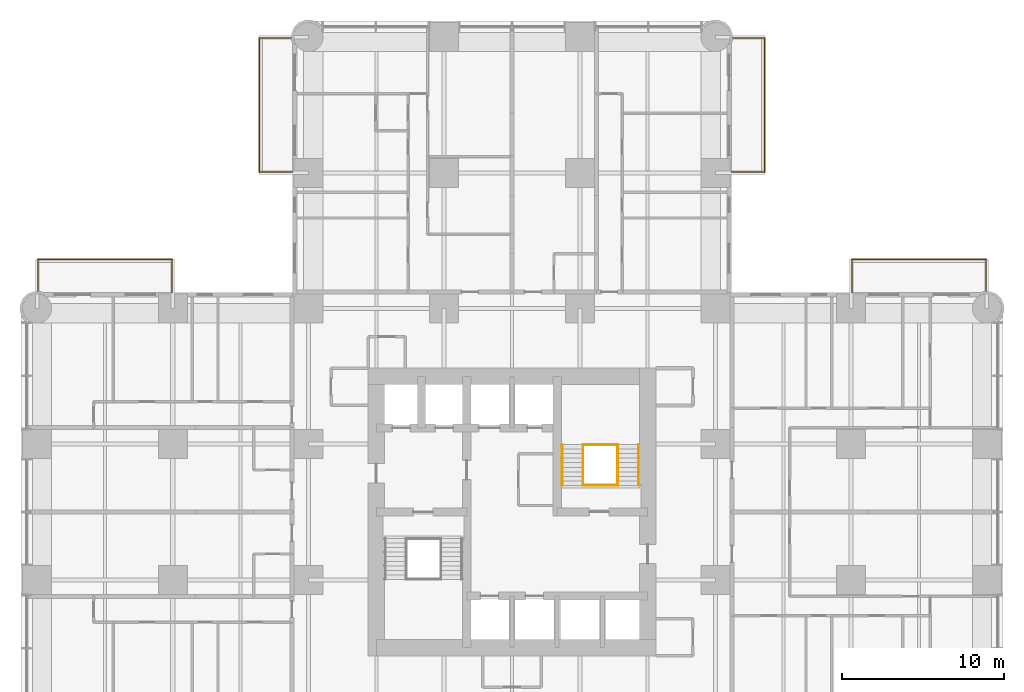
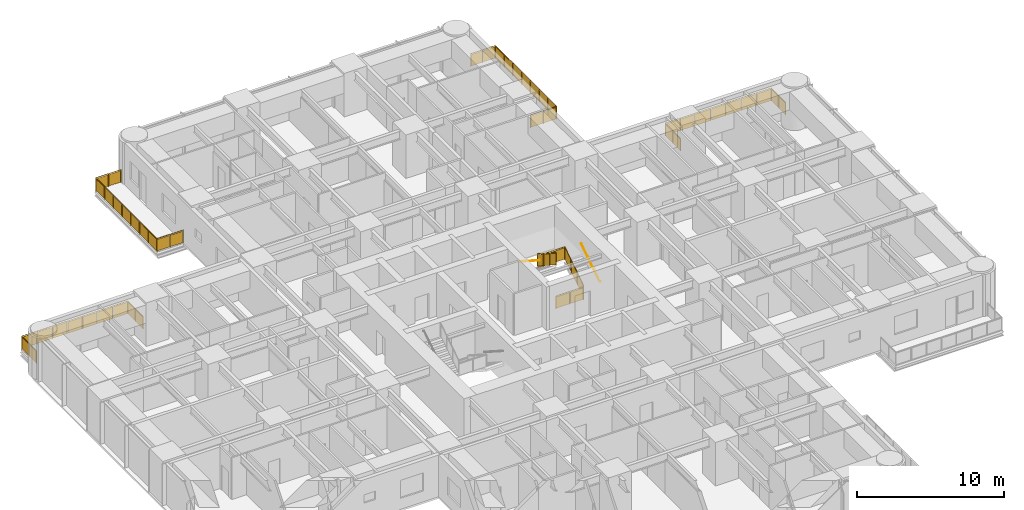
# One storey, part 17 of 17: 10 railings.
"""IFC4 building model written with IfcOpenShell, lengths in metres."""

from ifc_helpers import new_model, si_unit, direction, frame, origin, origin_2d, place, context, subcontext, project, spatial, polyline, circle, outline, extrude, material, constituent, constituent_set, type_object, element, save


model = new_model("IFC4")

# Units and contexts
model_context = context("Model", 3, precision=1e-05, world=origin(), true_north=direction((0.0, 1.0)))
body_context = subcontext(model_context, "Body", "Model", "MODEL_VIEW")
ifc_project = project(units=[si_unit("LENGTHUNIT", "METRE"), si_unit("AREAUNIT", "SQUARE_METRE"), si_unit("VOLUMEUNIT", "CUBIC_METRE"), si_unit("PLANEANGLEUNIT", "RADIAN"), si_unit("MASSUNIT", "GRAM", prefix="KILO")], contexts=[model_context])

# Site, building, storey
site_placement = place(None, origin())
site = spatial("IfcSite", under=ifc_project, at=site_placement, CompositionType="ELEMENT")
building_placement = place(site_placement, origin())
building = spatial("IfcBuilding", under=site, at=building_placement, Name="Torre Alcanfor", CompositionType="ELEMENT")
storey_placement = place(building_placement, frame((0.0, 0.0, 70.5)))
storey = spatial("IfcBuildingStorey", under=building, at=storey_placement, Name="L17", CompositionType="ELEMENT", Elevation=70.5)

# Railings
ifc_material_1 = material(Name="Laminated safety glass", Category="glass")
ifc_constituent_1 = constituent(ifc_material_1, Name="Infill")
ifc_material_2 = material(Name="Stainless steel ASTM A554 Grade MT 316L tube", Category="steel")
ifc_constituent_2 = constituent(ifc_material_2, Name="Posts and rail")
ifc_constituent_set = constituent_set(constituents=[ifc_constituent_1, ifc_constituent_2], Name="Balcony guard glass 1100")
railing_type_1 = type_object("IfcRailingType", Name="Balcony guard glass 1100", PredefinedType="BALUSTRADE", material=ifc_constituent_set)
railing_1_placement = place(storey_placement, frame((15.800048828125, 50.449951171875, 0.0)))
element("IfcRailing", 1, at=railing_1_placement, inside=storey, type_object=railing_type_1, Name="Balcony guard L17-N1", PredefinedType="BALUSTRADE", context=body_context, shape_type="SweptSolid", body=[
    extrude(circle(Radius=0.02392578125, at=origin_2d()), frame((0.0, 0.0, 1.076171875), z_axis=(-1.0, 0.0, 0.0), x_axis=(0.0, -1.0, 0.0)), (0.0, 0.0, 1.0), 2.050048828125),
    extrude(circle(Radius=0.02392578125, at=origin_2d()), frame((-2.050048828125, 0.0, 1.076171875), z_axis=(0.0, 1.0, 0.0), x_axis=(-1.0, 0.0, 0.0)), (0.0, 0.0, 1.0), 8.300048828125),
    extrude(circle(Radius=0.02392578125, at=origin_2d()), frame((-2.050048828125, 8.300048828125, 1.076171875), z_axis=(1.0, 0.0, 0.0), x_axis=(0.0, 1.0, 0.0)), (0.0, 0.0, 1.0), 1.968994140625),
    extrude(circle(Radius=0.02099609375, at=origin_2d()), origin(), (0.0, 0.0, 1.0), 1.052001953125),
    extrude(circle(Radius=0.02099609375, at=origin_2d()), frame((-1.02490234375, 0.0, 0.0)), (0.0, 0.0, 1.0), 1.052001953125),
    extrude(circle(Radius=0.02099609375, at=origin_2d()), frame((-2.050048828125, 0.0, 0.0)), (0.0, 0.0, 1.0), 1.052001953125),
    extrude(circle(Radius=0.02099609375, at=origin_2d()), frame((-2.050048828125, 1.185791015625, 0.0)), (0.0, 0.0, 1.0), 1.052001953125),
    extrude(circle(Radius=0.02099609375, at=origin_2d()), frame((-2.050048828125, 2.371337890625, 0.0)), (0.0, 0.0, 1.0), 1.052001953125),
    extrude(circle(Radius=0.02099609375, at=origin_2d()), frame((-2.050048828125, 3.55712890625, 0.0)), (0.0, 0.0, 1.0), 1.052001953125),
    extrude(circle(Radius=0.02099609375, at=origin_2d()), frame((-2.050048828125, 4.742919921875, 0.0)), (0.0, 0.0, 1.0), 1.052001953125),
    extrude(circle(Radius=0.02099609375, at=origin_2d()), frame((-2.050048828125, 5.9287109375, 0.0)), (0.0, 0.0, 1.0), 1.052001953125),
    extrude(circle(Radius=0.02099609375, at=origin_2d()), frame((-2.050048828125, 7.1142578125, 0.0)), (0.0, 0.0, 1.0), 1.052001953125),
    extrude(circle(Radius=0.02099609375, at=origin_2d()), frame((-2.050048828125, 8.300048828125, 0.0)), (0.0, 0.0, 1.0), 1.052001953125),
    extrude(circle(Radius=0.02099609375, at=origin_2d()), frame((-1.0654296875, 8.300048828125, 0.0)), (0.0, 0.0, 1.0), 1.052001953125),
    extrude(circle(Radius=0.02099609375, at=origin_2d()), frame((-0.0810546875, 8.300048828125, 0.0)), (0.0, 0.0, 1.0), 1.052001953125),
    extrude(outline(polyline([(0.041015625, 0.050048828125), (0.984130859375, 0.050048828125), (0.984130859375, 1.001953125), (0.041015625, 1.001953125), (0.041015625, 0.050048828125)])), frame((0.0, -0.005859375, 0.0), z_axis=(0.0, 1.0, 0.0), x_axis=(-1.0, 0.0, 0.0)), (0.0, 0.0, 1.0), 0.011962890625),
    extrude(outline(polyline([(1.06591796875, 0.050048828125), (2.009033203125, 0.050048828125), (2.009033203125, 1.001953125), (1.06591796875, 1.001953125), (1.06591796875, 0.050048828125)])), frame((0.0, -0.005859375, 0.0), z_axis=(0.0, 1.0, 0.0), x_axis=(-1.0, 0.0, 0.0)), (0.0, 0.0, 1.0), 0.011962890625),
    extrude(outline(polyline([(0.041015625, 0.050048828125), (1.144775390625, 0.050048828125), (1.144775390625, 1.001953125), (0.041015625, 1.001953125), (0.041015625, 0.050048828125)])), frame((-2.05615234375, 0.0, 0.0), z_axis=(1.0, 0.0, 0.0), x_axis=(0.0, 1.0, 0.0)), (0.0, 0.0, 1.0), 0.011962890625),
    extrude(outline(polyline([(1.226806640625, 0.050048828125), (2.330322265625, 0.050048828125), (2.330322265625, 1.001953125), (1.226806640625, 1.001953125), (1.226806640625, 0.050048828125)])), frame((-2.05615234375, 0.0, 0.0), z_axis=(1.0, 0.0, 0.0), x_axis=(0.0, 1.0, 0.0)), (0.0, 0.0, 1.0), 0.011962890625),
    extrude(outline(polyline([(2.412353515625, 0.050048828125), (3.51611328125, 0.050048828125), (3.51611328125, 1.001953125), (2.412353515625, 1.001953125), (2.412353515625, 0.050048828125)])), frame((-2.05615234375, 0.0, 0.0), z_axis=(1.0, 0.0, 0.0), x_axis=(0.0, 1.0, 0.0)), (0.0, 0.0, 1.0), 0.011962890625),
    extrude(outline(polyline([(3.59814453125, 0.050048828125), (4.701904296875, 0.050048828125), (4.701904296875, 1.001953125), (3.59814453125, 1.001953125), (3.59814453125, 0.050048828125)])), frame((-2.05615234375, 0.0, 0.0), z_axis=(1.0, 0.0, 0.0), x_axis=(0.0, 1.0, 0.0)), (0.0, 0.0, 1.0), 0.011962890625),
    extrude(outline(polyline([(4.783935546875, 0.050048828125), (5.8876953125, 0.050048828125), (5.8876953125, 1.001953125), (4.783935546875, 1.001953125), (4.783935546875, 0.050048828125)])), frame((-2.05615234375, 0.0, 0.0), z_axis=(1.0, 0.0, 0.0), x_axis=(0.0, 1.0, 0.0)), (0.0, 0.0, 1.0), 0.011962890625),
    extrude(outline(polyline([(5.9697265625, 0.050048828125), (7.0732421875, 0.050048828125), (7.0732421875, 1.001953125), (5.9697265625, 1.001953125), (5.9697265625, 0.050048828125)])), frame((-2.05615234375, 0.0, 0.0), z_axis=(1.0, 0.0, 0.0), x_axis=(0.0, 1.0, 0.0)), (0.0, 0.0, 1.0), 0.011962890625),
    extrude(outline(polyline([(7.1552734375, 0.050048828125), (8.259033203125, 0.050048828125), (8.259033203125, 1.001953125), (7.1552734375, 1.001953125), (7.1552734375, 0.050048828125)])), frame((-2.05615234375, 0.0, 0.0), z_axis=(1.0, 0.0, 0.0), x_axis=(0.0, 1.0, 0.0)), (0.0, 0.0, 1.0), 0.011962890625),
    extrude(outline(polyline([(0.041015625, 0.050048828125), (0.943603515625, 0.050048828125), (0.943603515625, 1.001953125), (0.041015625, 1.001953125), (0.041015625, 0.050048828125)])), frame((-2.050048828125, 8.30615234375, 0.0), z_axis=(0.0, -1.0, 0.0), x_axis=(1.0, 0.0, 0.0)), (0.0, 0.0, 1.0), 0.011962890625),
    extrude(outline(polyline([(1.025390625, 0.050048828125), (1.927978515625, 0.050048828125), (1.927978515625, 1.001953125), (1.025390625, 1.001953125), (1.025390625, 0.050048828125)])), frame((-2.050048828125, 8.30615234375, 0.0), z_axis=(0.0, -1.0, 0.0), x_axis=(1.0, 0.0, 0.0)), (0.0, 0.0, 1.0), 0.011962890625),
])
railing_2_placement = place(storey_placement, frame((43.0, 50.449951171875, 0.0)))
element("IfcRailing", 2, at=railing_2_placement, inside=storey, type_object=railing_type_1, Name="Balcony guard L17-N2", PredefinedType="BALUSTRADE", context=body_context, shape_type="SweptSolid", body=[
    extrude(circle(Radius=0.02392578125, at=origin_2d()), frame((0.0, 0.0, 1.076171875), z_axis=(1.0, 0.0, 0.0), x_axis=(0.0, 1.0, 0.0)), (0.0, 0.0, 1.0), 2.050048828125),
    extrude(circle(Radius=0.02392578125, at=origin_2d()), frame((2.050048828125, 0.0, 1.076171875), z_axis=(0.0, 1.0, 0.0), x_axis=(-1.0, 0.0, 0.0)), (0.0, 0.0, 1.0), 8.300048828125),
    extrude(circle(Radius=0.02392578125, at=origin_2d()), frame((2.050048828125, 8.300048828125, 1.076171875), z_axis=(-1.0, 0.0, 0.0), x_axis=(0.0, -1.0, 0.0)), (0.0, 0.0, 1.0), 1.968994140625),
    extrude(circle(Radius=0.02099609375, at=origin_2d()), origin(), (0.0, 0.0, 1.0), 1.052001953125),
    extrude(circle(Radius=0.02099609375, at=origin_2d()), frame((1.02490234375, 0.0, 0.0)), (0.0, 0.0, 1.0), 1.052001953125),
    extrude(circle(Radius=0.02099609375, at=origin_2d()), frame((2.050048828125, 0.0, 0.0)), (0.0, 0.0, 1.0), 1.052001953125),
    extrude(circle(Radius=0.02099609375, at=origin_2d()), frame((2.050048828125, 1.185791015625, 0.0)), (0.0, 0.0, 1.0), 1.052001953125),
    extrude(circle(Radius=0.02099609375, at=origin_2d()), frame((2.050048828125, 2.371337890625, 0.0)), (0.0, 0.0, 1.0), 1.052001953125),
    extrude(circle(Radius=0.02099609375, at=origin_2d()), frame((2.050048828125, 3.55712890625, 0.0)), (0.0, 0.0, 1.0), 1.052001953125),
    extrude(circle(Radius=0.02099609375, at=origin_2d()), frame((2.050048828125, 4.742919921875, 0.0)), (0.0, 0.0, 1.0), 1.052001953125),
    extrude(circle(Radius=0.02099609375, at=origin_2d()), frame((2.050048828125, 5.9287109375, 0.0)), (0.0, 0.0, 1.0), 1.052001953125),
    extrude(circle(Radius=0.02099609375, at=origin_2d()), frame((2.050048828125, 7.1142578125, 0.0)), (0.0, 0.0, 1.0), 1.052001953125),
    extrude(circle(Radius=0.02099609375, at=origin_2d()), frame((2.050048828125, 8.300048828125, 0.0)), (0.0, 0.0, 1.0), 1.052001953125),
    extrude(circle(Radius=0.02099609375, at=origin_2d()), frame((1.0654296875, 8.300048828125, 0.0)), (0.0, 0.0, 1.0), 1.052001953125),
    extrude(circle(Radius=0.02099609375, at=origin_2d()), frame((0.0810546875, 8.300048828125, 0.0)), (0.0, 0.0, 1.0), 1.052001953125),
    extrude(outline(polyline([(0.041015625, 0.050048828125), (0.984130859375, 0.050048828125), (0.984130859375, 1.001953125), (0.041015625, 1.001953125), (0.041015625, 0.050048828125)])), frame((0.0, 0.005859375, 0.0), z_axis=(0.0, -1.0, 0.0), x_axis=(1.0, 0.0, 0.0)), (0.0, 0.0, 1.0), 0.011962890625),
    extrude(outline(polyline([(1.06591796875, 0.050048828125), (2.009033203125, 0.050048828125), (2.009033203125, 1.001953125), (1.06591796875, 1.001953125), (1.06591796875, 0.050048828125)])), frame((0.0, 0.005859375, 0.0), z_axis=(0.0, -1.0, 0.0), x_axis=(1.0, 0.0, 0.0)), (0.0, 0.0, 1.0), 0.011962890625),
    extrude(outline(polyline([(0.041015625, 0.050048828125), (1.144775390625, 0.050048828125), (1.144775390625, 1.001953125), (0.041015625, 1.001953125), (0.041015625, 0.050048828125)])), frame((2.0439453125, 0.0, 0.0), z_axis=(1.0, 0.0, 0.0), x_axis=(0.0, 1.0, 0.0)), (0.0, 0.0, 1.0), 0.011962890625),
    extrude(outline(polyline([(1.226806640625, 0.050048828125), (2.330322265625, 0.050048828125), (2.330322265625, 1.001953125), (1.226806640625, 1.001953125), (1.226806640625, 0.050048828125)])), frame((2.0439453125, 0.0, 0.0), z_axis=(1.0, 0.0, 0.0), x_axis=(0.0, 1.0, 0.0)), (0.0, 0.0, 1.0), 0.011962890625),
    extrude(outline(polyline([(2.412353515625, 0.050048828125), (3.51611328125, 0.050048828125), (3.51611328125, 1.001953125), (2.412353515625, 1.001953125), (2.412353515625, 0.050048828125)])), frame((2.0439453125, 0.0, 0.0), z_axis=(1.0, 0.0, 0.0), x_axis=(0.0, 1.0, 0.0)), (0.0, 0.0, 1.0), 0.011962890625),
    extrude(outline(polyline([(3.59814453125, 0.050048828125), (4.701904296875, 0.050048828125), (4.701904296875, 1.001953125), (3.59814453125, 1.001953125), (3.59814453125, 0.050048828125)])), frame((2.0439453125, 0.0, 0.0), z_axis=(1.0, 0.0, 0.0), x_axis=(0.0, 1.0, 0.0)), (0.0, 0.0, 1.0), 0.011962890625),
    extrude(outline(polyline([(4.783935546875, 0.050048828125), (5.8876953125, 0.050048828125), (5.8876953125, 1.001953125), (4.783935546875, 1.001953125), (4.783935546875, 0.050048828125)])), frame((2.0439453125, 0.0, 0.0), z_axis=(1.0, 0.0, 0.0), x_axis=(0.0, 1.0, 0.0)), (0.0, 0.0, 1.0), 0.011962890625),
    extrude(outline(polyline([(5.9697265625, 0.050048828125), (7.0732421875, 0.050048828125), (7.0732421875, 1.001953125), (5.9697265625, 1.001953125), (5.9697265625, 0.050048828125)])), frame((2.0439453125, 0.0, 0.0), z_axis=(1.0, 0.0, 0.0), x_axis=(0.0, 1.0, 0.0)), (0.0, 0.0, 1.0), 0.011962890625),
    extrude(outline(polyline([(7.1552734375, 0.050048828125), (8.259033203125, 0.050048828125), (8.259033203125, 1.001953125), (7.1552734375, 1.001953125), (7.1552734375, 0.050048828125)])), frame((2.0439453125, 0.0, 0.0), z_axis=(1.0, 0.0, 0.0), x_axis=(0.0, 1.0, 0.0)), (0.0, 0.0, 1.0), 0.011962890625),
    extrude(outline(polyline([(0.041015625, 0.050048828125), (0.943603515625, 0.050048828125), (0.943603515625, 1.001953125), (0.041015625, 1.001953125), (0.041015625, 0.050048828125)])), frame((2.050048828125, 8.2939453125, 0.0), z_axis=(0.0, 1.0, 0.0), x_axis=(-1.0, 0.0, 0.0)), (0.0, 0.0, 1.0), 0.011962890625),
    extrude(outline(polyline([(1.025390625, 0.050048828125), (1.927978515625, 0.050048828125), (1.927978515625, 1.001953125), (1.025390625, 1.001953125), (1.025390625, 0.050048828125)])), frame((2.050048828125, 8.2939453125, 0.0), z_axis=(0.0, 1.0, 0.0), x_axis=(-1.0, 0.0, 0.0)), (0.0, 0.0, 1.0), 0.011962890625),
])
railing_3_placement = place(storey_placement, frame((50.449951171875, 43.0, 0.0)))
element("IfcRailing", 3, at=railing_3_placement, inside=storey, type_object=railing_type_1, Name="Balcony guard L17-E1", PredefinedType="BALUSTRADE", context=body_context, shape_type="SweptSolid", body=[
    extrude(circle(Radius=0.02392578125, at=origin_2d()), frame((0.0, 0.0, 1.076171875), z_axis=(0.0, 1.0, 0.0), x_axis=(-1.0, 0.0, 0.0)), (0.0, 0.0, 1.0), 2.050048828125),
    extrude(circle(Radius=0.02392578125, at=origin_2d()), frame((0.0, 2.050048828125, 1.076171875), z_axis=(1.0, 0.0, 0.0), x_axis=(0.0, 1.0, 0.0)), (0.0, 0.0, 1.0), 8.300048828125),
    extrude(circle(Radius=0.02392578125, at=origin_2d()), frame((8.300048828125, 2.050048828125, 1.076171875), z_axis=(0.0, -1.0, 0.0), x_axis=(1.0, 0.0, 0.0)), (0.0, 0.0, 1.0), 1.968994140625),
    extrude(circle(Radius=0.02099609375, at=origin_2d()), origin(), (0.0, 0.0, 1.0), 1.052001953125),
    extrude(circle(Radius=0.02099609375, at=origin_2d()), frame((0.0, 1.02490234375, 0.0)), (0.0, 0.0, 1.0), 1.052001953125),
    extrude(circle(Radius=0.02099609375, at=origin_2d()), frame((0.0, 2.050048828125, 0.0)), (0.0, 0.0, 1.0), 1.052001953125),
    extrude(circle(Radius=0.02099609375, at=origin_2d()), frame((1.185791015625, 2.050048828125, 0.0)), (0.0, 0.0, 1.0), 1.052001953125),
    extrude(circle(Radius=0.02099609375, at=origin_2d()), frame((2.371337890625, 2.050048828125, 0.0)), (0.0, 0.0, 1.0), 1.052001953125),
    extrude(circle(Radius=0.02099609375, at=origin_2d()), frame((3.55712890625, 2.050048828125, 0.0)), (0.0, 0.0, 1.0), 1.052001953125),
    extrude(circle(Radius=0.02099609375, at=origin_2d()), frame((4.742919921875, 2.050048828125, 0.0)), (0.0, 0.0, 1.0), 1.052001953125),
    extrude(circle(Radius=0.02099609375, at=origin_2d()), frame((5.9287109375, 2.050048828125, 0.0)), (0.0, 0.0, 1.0), 1.052001953125),
    extrude(circle(Radius=0.02099609375, at=origin_2d()), frame((7.1142578125, 2.050048828125, 0.0)), (0.0, 0.0, 1.0), 1.052001953125),
    extrude(circle(Radius=0.02099609375, at=origin_2d()), frame((8.300048828125, 2.050048828125, 0.0)), (0.0, 0.0, 1.0), 1.052001953125),
    extrude(circle(Radius=0.02099609375, at=origin_2d()), frame((8.300048828125, 1.0654296875, 0.0)), (0.0, 0.0, 1.0), 1.052001953125),
    extrude(circle(Radius=0.02099609375, at=origin_2d()), frame((8.300048828125, 0.0810546875, 0.0)), (0.0, 0.0, 1.0), 1.052001953125),
    extrude(outline(polyline([(0.041015625, 0.050048828125), (0.984130859375, 0.050048828125), (0.984130859375, 1.001953125), (0.041015625, 1.001953125), (0.041015625, 0.050048828125)])), frame((-0.005859375, 0.0, 0.0), z_axis=(1.0, 0.0, 0.0), x_axis=(0.0, 1.0, 0.0)), (0.0, 0.0, 1.0), 0.011962890625),
    extrude(outline(polyline([(1.06591796875, 0.050048828125), (2.009033203125, 0.050048828125), (2.009033203125, 1.001953125), (1.06591796875, 1.001953125), (1.06591796875, 0.050048828125)])), frame((-0.005859375, 0.0, 0.0), z_axis=(1.0, 0.0, 0.0), x_axis=(0.0, 1.0, 0.0)), (0.0, 0.0, 1.0), 0.011962890625),
    extrude(outline(polyline([(0.041015625, 0.050048828125), (1.144775390625, 0.050048828125), (1.144775390625, 1.001953125), (0.041015625, 1.001953125), (0.041015625, 0.050048828125)])), frame((0.0, 2.05615234375, 0.0), z_axis=(0.0, -1.0, 0.0), x_axis=(1.0, 0.0, 0.0)), (0.0, 0.0, 1.0), 0.011962890625),
    extrude(outline(polyline([(1.226806640625, 0.050048828125), (2.330322265625, 0.050048828125), (2.330322265625, 1.001953125), (1.226806640625, 1.001953125), (1.226806640625, 0.050048828125)])), frame((0.0, 2.05615234375, 0.0), z_axis=(0.0, -1.0, 0.0), x_axis=(1.0, 0.0, 0.0)), (0.0, 0.0, 1.0), 0.011962890625),
    extrude(outline(polyline([(2.412353515625, 0.050048828125), (3.51611328125, 0.050048828125), (3.51611328125, 1.001953125), (2.412353515625, 1.001953125), (2.412353515625, 0.050048828125)])), frame((0.0, 2.05615234375, 0.0), z_axis=(0.0, -1.0, 0.0), x_axis=(1.0, 0.0, 0.0)), (0.0, 0.0, 1.0), 0.011962890625),
    extrude(outline(polyline([(3.59814453125, 0.050048828125), (4.701904296875, 0.050048828125), (4.701904296875, 1.001953125), (3.59814453125, 1.001953125), (3.59814453125, 0.050048828125)])), frame((0.0, 2.05615234375, 0.0), z_axis=(0.0, -1.0, 0.0), x_axis=(1.0, 0.0, 0.0)), (0.0, 0.0, 1.0), 0.011962890625),
    extrude(outline(polyline([(4.783935546875, 0.050048828125), (5.8876953125, 0.050048828125), (5.8876953125, 1.001953125), (4.783935546875, 1.001953125), (4.783935546875, 0.050048828125)])), frame((0.0, 2.05615234375, 0.0), z_axis=(0.0, -1.0, 0.0), x_axis=(1.0, 0.0, 0.0)), (0.0, 0.0, 1.0), 0.011962890625),
    extrude(outline(polyline([(5.9697265625, 0.050048828125), (7.0732421875, 0.050048828125), (7.0732421875, 1.001953125), (5.9697265625, 1.001953125), (5.9697265625, 0.050048828125)])), frame((0.0, 2.05615234375, 0.0), z_axis=(0.0, -1.0, 0.0), x_axis=(1.0, 0.0, 0.0)), (0.0, 0.0, 1.0), 0.011962890625),
    extrude(outline(polyline([(7.1552734375, 0.050048828125), (8.259033203125, 0.050048828125), (8.259033203125, 1.001953125), (7.1552734375, 1.001953125), (7.1552734375, 0.050048828125)])), frame((0.0, 2.05615234375, 0.0), z_axis=(0.0, -1.0, 0.0), x_axis=(1.0, 0.0, 0.0)), (0.0, 0.0, 1.0), 0.011962890625),
    extrude(outline(polyline([(0.041015625, 0.050048828125), (0.943603515625, 0.050048828125), (0.943603515625, 1.001953125), (0.041015625, 1.001953125), (0.041015625, 0.050048828125)])), frame((8.30615234375, 2.050048828125, 0.0), z_axis=(-1.0, 0.0, 0.0), x_axis=(0.0, -1.0, 0.0)), (0.0, 0.0, 1.0), 0.011962890625),
    extrude(outline(polyline([(1.025390625, 0.050048828125), (1.927978515625, 0.050048828125), (1.927978515625, 1.001953125), (1.025390625, 1.001953125), (1.025390625, 0.050048828125)])), frame((8.30615234375, 2.050048828125, 0.0), z_axis=(-1.0, 0.0, 0.0), x_axis=(0.0, -1.0, 0.0)), (0.0, 0.0, 1.0), 0.011962890625),
])
railing_4_placement = place(storey_placement, frame((8.35009765625, 43.0, 0.0)))
element("IfcRailing", 4, at=railing_4_placement, inside=storey, type_object=railing_type_1, Name="Balcony guard L17-W2", PredefinedType="BALUSTRADE", context=body_context, shape_type="SweptSolid", body=[
    extrude(circle(Radius=0.02392578125, at=origin_2d()), frame((0.0, 0.0, 1.076171875), z_axis=(0.0, 1.0, 0.0), x_axis=(-1.0, 0.0, 0.0)), (0.0, 0.0, 1.0), 2.050048828125),
    extrude(circle(Radius=0.02392578125, at=origin_2d()), frame((0.0, 2.050048828125, 1.076171875), z_axis=(-1.0, 0.0, 0.0), x_axis=(0.0, -1.0, 0.0)), (0.0, 0.0, 1.0), 8.300048828125),
    extrude(circle(Radius=0.02392578125, at=origin_2d()), frame((-8.300048828125, 2.050048828125, 1.076171875), z_axis=(0.0, -1.0, 0.0), x_axis=(1.0, 0.0, 0.0)), (0.0, 0.0, 1.0), 1.968994140625),
    extrude(circle(Radius=0.02099609375, at=origin_2d()), origin(), (0.0, 0.0, 1.0), 1.052001953125),
    extrude(circle(Radius=0.02099609375, at=origin_2d()), frame((0.0, 1.02490234375, 0.0)), (0.0, 0.0, 1.0), 1.052001953125),
    extrude(circle(Radius=0.02099609375, at=origin_2d()), frame((0.0, 2.050048828125, 0.0)), (0.0, 0.0, 1.0), 1.052001953125),
    extrude(circle(Radius=0.02099609375, at=origin_2d()), frame((-1.185791015625, 2.050048828125, 0.0)), (0.0, 0.0, 1.0), 1.052001953125),
    extrude(circle(Radius=0.02099609375, at=origin_2d()), frame((-2.371337890625, 2.050048828125, 0.0)), (0.0, 0.0, 1.0), 1.052001953125),
    extrude(circle(Radius=0.02099609375, at=origin_2d()), frame((-3.55712890625, 2.050048828125, 0.0)), (0.0, 0.0, 1.0), 1.052001953125),
    extrude(circle(Radius=0.02099609375, at=origin_2d()), frame((-4.742919921875, 2.050048828125, 0.0)), (0.0, 0.0, 1.0), 1.052001953125),
    extrude(circle(Radius=0.02099609375, at=origin_2d()), frame((-5.9287109375, 2.050048828125, 0.0)), (0.0, 0.0, 1.0), 1.052001953125),
    extrude(circle(Radius=0.02099609375, at=origin_2d()), frame((-7.1142578125, 2.050048828125, 0.0)), (0.0, 0.0, 1.0), 1.052001953125),
    extrude(circle(Radius=0.02099609375, at=origin_2d()), frame((-8.300048828125, 2.050048828125, 0.0)), (0.0, 0.0, 1.0), 1.052001953125),
    extrude(circle(Radius=0.02099609375, at=origin_2d()), frame((-8.300048828125, 1.0654296875, 0.0)), (0.0, 0.0, 1.0), 1.052001953125),
    extrude(circle(Radius=0.02099609375, at=origin_2d()), frame((-8.300048828125, 0.0810546875, 0.0)), (0.0, 0.0, 1.0), 1.052001953125),
    extrude(outline(polyline([(0.041015625, 0.050048828125), (0.984130859375, 0.050048828125), (0.984130859375, 1.001953125), (0.041015625, 1.001953125), (0.041015625, 0.050048828125)])), frame((-0.005859375, 0.0, 0.0), z_axis=(1.0, 0.0, 0.0), x_axis=(0.0, 1.0, 0.0)), (0.0, 0.0, 1.0), 0.011962890625),
    extrude(outline(polyline([(1.06591796875, 0.050048828125), (2.009033203125, 0.050048828125), (2.009033203125, 1.001953125), (1.06591796875, 1.001953125), (1.06591796875, 0.050048828125)])), frame((-0.005859375, 0.0, 0.0), z_axis=(1.0, 0.0, 0.0), x_axis=(0.0, 1.0, 0.0)), (0.0, 0.0, 1.0), 0.011962890625),
    extrude(outline(polyline([(0.041015625, 0.050048828125), (1.144775390625, 0.050048828125), (1.144775390625, 1.001953125), (0.041015625, 1.001953125), (0.041015625, 0.050048828125)])), frame((0.0, 2.0439453125, 0.0), z_axis=(0.0, 1.0, 0.0), x_axis=(-1.0, 0.0, 0.0)), (0.0, 0.0, 1.0), 0.011962890625),
    extrude(outline(polyline([(1.226806640625, 0.050048828125), (2.330322265625, 0.050048828125), (2.330322265625, 1.001953125), (1.226806640625, 1.001953125), (1.226806640625, 0.050048828125)])), frame((0.0, 2.0439453125, 0.0), z_axis=(0.0, 1.0, 0.0), x_axis=(-1.0, 0.0, 0.0)), (0.0, 0.0, 1.0), 0.011962890625),
    extrude(outline(polyline([(2.412353515625, 0.050048828125), (3.51611328125, 0.050048828125), (3.51611328125, 1.001953125), (2.412353515625, 1.001953125), (2.412353515625, 0.050048828125)])), frame((0.0, 2.0439453125, 0.0), z_axis=(0.0, 1.0, 0.0), x_axis=(-1.0, 0.0, 0.0)), (0.0, 0.0, 1.0), 0.011962890625),
    extrude(outline(polyline([(3.59814453125, 0.050048828125), (4.701904296875, 0.050048828125), (4.701904296875, 1.001953125), (3.59814453125, 1.001953125), (3.59814453125, 0.050048828125)])), frame((0.0, 2.0439453125, 0.0), z_axis=(0.0, 1.0, 0.0), x_axis=(-1.0, 0.0, 0.0)), (0.0, 0.0, 1.0), 0.011962890625),
    extrude(outline(polyline([(4.783935546875, 0.050048828125), (5.8876953125, 0.050048828125), (5.8876953125, 1.001953125), (4.783935546875, 1.001953125), (4.783935546875, 0.050048828125)])), frame((0.0, 2.0439453125, 0.0), z_axis=(0.0, 1.0, 0.0), x_axis=(-1.0, 0.0, 0.0)), (0.0, 0.0, 1.0), 0.011962890625),
    extrude(outline(polyline([(5.9697265625, 0.050048828125), (7.0732421875, 0.050048828125), (7.0732421875, 1.001953125), (5.9697265625, 1.001953125), (5.9697265625, 0.050048828125)])), frame((0.0, 2.0439453125, 0.0), z_axis=(0.0, 1.0, 0.0), x_axis=(-1.0, 0.0, 0.0)), (0.0, 0.0, 1.0), 0.011962890625),
    extrude(outline(polyline([(7.1552734375, 0.050048828125), (8.259033203125, 0.050048828125), (8.259033203125, 1.001953125), (7.1552734375, 1.001953125), (7.1552734375, 0.050048828125)])), frame((0.0, 2.0439453125, 0.0), z_axis=(0.0, 1.0, 0.0), x_axis=(-1.0, 0.0, 0.0)), (0.0, 0.0, 1.0), 0.011962890625),
    extrude(outline(polyline([(0.041015625, 0.050048828125), (0.943603515625, 0.050048828125), (0.943603515625, 1.001953125), (0.041015625, 1.001953125), (0.041015625, 0.050048828125)])), frame((-8.2939453125, 2.050048828125, 0.0), z_axis=(-1.0, 0.0, 0.0), x_axis=(0.0, -1.0, 0.0)), (0.0, 0.0, 1.0), 0.011962890625),
    extrude(outline(polyline([(1.025390625, 0.050048828125), (1.927978515625, 0.050048828125), (1.927978515625, 1.001953125), (1.025390625, 1.001953125), (1.025390625, 0.050048828125)])), frame((-8.2939453125, 2.050048828125, 0.0), z_axis=(-1.0, 0.0, 0.0), x_axis=(0.0, -1.0, 0.0)), (0.0, 0.0, 1.0), 0.011962890625),
])
ifc_material_3 = material(Name="Steel ASTM A500 Grade C hollow sections", Category="steel")
railing_type_2 = type_object("IfcRailingType", Name="Stair guard and handrail 1100", PredefinedType="GUARDRAIL", material=ifc_material_3)
railing_5_placement = place(storey_placement, frame((35.949951171875, 31.050048828125, 0.179931640625)))
element("IfcRailing", 5, at=railing_5_placement, inside=storey, type_object=railing_type_2, Name="Stair guard S2 L17 flight 1", PredefinedType="GUARDRAIL", context=body_context, shape_type="SweptSolid", body=[
    extrude(circle(Radius=0.02392578125, at=origin_2d()), frame((0.0, 0.0, 1.076171875), z_axis=(0.0, 0.841162588446, 0.540782303519), x_axis=(-1.0, 0.0, 0.0)), (0.0, 0.0, 1.0), 2.995849609375),
    extrude(circle(Radius=0.02099609375, at=origin_2d()), origin(), (0.0, 0.0, 1.0), 1.052001953125),
    extrude(circle(Radius=0.02099609375, at=origin_2d()), frame((0.0, 0.840087890625, 0.5400390625)), (0.0, 0.0, 1.0), 1.052001953125),
    extrude(circle(Radius=0.02099609375, at=origin_2d()), frame((0.0, 1.679931640625, 1.080078125)), (0.0, 0.0, 1.0), 1.052001953125),
    extrude(circle(Radius=0.02099609375, at=origin_2d()), frame((0.0, 2.52001953125, 1.6201171875)), (0.0, 0.0, 1.0), 1.052001953125),
    extrude(outline(polyline([(0.041015625, 0.076416015625), (0.799072265625, 0.563720703125), (0.799072265625, 1.515625), (0.041015625, 1.0283203125), (0.041015625, 0.076416015625)])), frame((-0.005859375, 0.0, 0.0), z_axis=(1.0, 0.0, 0.0), x_axis=(0.0, 1.0, 0.0)), (0.0, 0.0, 1.0), 0.011962890625),
    extrude(outline(polyline([(0.881103515625, 0.616455078125), (1.638916015625, 1.103759765625), (1.638916015625, 2.0556640625), (0.881103515625, 1.568359375), (0.881103515625, 0.616455078125)])), frame((-0.005859375, 0.0, 0.0), z_axis=(1.0, 0.0, 0.0), x_axis=(0.0, 1.0, 0.0)), (0.0, 0.0, 1.0), 0.011962890625),
    extrude(outline(polyline([(1.720947265625, 1.156494140625), (2.47900390625, 1.643798828125), (2.47900390625, 2.595703125), (1.720947265625, 2.1083984375), (1.720947265625, 1.156494140625)])), frame((-0.005859375, 0.0, 0.0), z_axis=(1.0, 0.0, 0.0), x_axis=(0.0, 1.0, 0.0)), (0.0, 0.0, 1.0), 0.011962890625),
])
railing_6_placement = place(storey_placement, frame((33.800048828125, 33.570068359375, 1.97998046875)))
element("IfcRailing", 6, at=railing_6_placement, inside=storey, type_object=railing_type_2, Name="Stair guard S2 L17 flight 2", PredefinedType="GUARDRAIL", context=body_context, shape_type="SweptSolid", body=[
    extrude(circle(Radius=0.02392578125, at=origin_2d()), frame((0.0, 0.0, 1.076171875), z_axis=(0.0, -0.841162588446, 0.540782303519), x_axis=(1.0, 0.0, 0.0)), (0.0, 0.0, 1.0), 2.995849609375),
    extrude(circle(Radius=0.02099609375, at=origin_2d()), origin(), (0.0, 0.0, 1.0), 1.052001953125),
    extrude(circle(Radius=0.02099609375, at=origin_2d()), frame((0.0, -0.840087890625, 0.5400390625)), (0.0, 0.0, 1.0), 1.052001953125),
    extrude(circle(Radius=0.02099609375, at=origin_2d()), frame((0.0, -1.679931640625, 1.080078125)), (0.0, 0.0, 1.0), 1.052001953125),
    extrude(circle(Radius=0.02099609375, at=origin_2d()), frame((0.0, -2.52001953125, 1.6201171875)), (0.0, 0.0, 1.0), 1.052001953125),
    extrude(outline(polyline([(0.041015625, 0.076416015625), (0.799072265625, 0.563720703125), (0.799072265625, 1.515625), (0.041015625, 1.0283203125), (0.041015625, 0.076416015625)])), frame((0.005859375, 0.0, 0.0), z_axis=(-1.0, 0.0, 0.0), x_axis=(0.0, -1.0, 0.0)), (0.0, 0.0, 1.0), 0.011962890625),
    extrude(outline(polyline([(0.881103515625, 0.616455078125), (1.638916015625, 1.103759765625), (1.638916015625, 2.0556640625), (0.881103515625, 1.568359375), (0.881103515625, 0.616455078125)])), frame((0.005859375, 0.0, 0.0), z_axis=(-1.0, 0.0, 0.0), x_axis=(0.0, -1.0, 0.0)), (0.0, 0.0, 1.0), 0.011962890625),
    extrude(outline(polyline([(1.720947265625, 1.156494140625), (2.47900390625, 1.643798828125), (2.47900390625, 2.595703125), (1.720947265625, 2.1083984375), (1.720947265625, 1.156494140625)])), frame((0.005859375, 0.0, 0.0), z_axis=(-1.0, 0.0, 0.0), x_axis=(0.0, -1.0, 0.0)), (0.0, 0.0, 1.0), 0.011962890625),
])
for number, where, name in (
    (7, (33.800048828125, 31.050048828125, 0.0), "Stair well guard S2 L17 floor landing"),
    (8, (33.800048828125, 33.570068359375, 1.800048828125), "Stair well guard S2 L17 half landing"),
):
    element("IfcRailing", number, at=place(storey_placement, frame(where)), inside=storey, type_object=railing_type_2, Name=name, PredefinedType="GUARDRAIL", context=body_context, shape_type="SweptSolid", body=[
        extrude(circle(Radius=0.02392578125, at=origin_2d()), frame((0.0, 0.0, 1.076171875), z_axis=(1.0, 0.0, 0.0), x_axis=(0.0, 1.0, 0.0)), (0.0, 0.0, 1.0), 2.14990234375),
        extrude(circle(Radius=0.02099609375, at=origin_2d()), origin(), (0.0, 0.0, 1.0), 1.052001953125),
        extrude(circle(Radius=0.02099609375, at=origin_2d()), frame((1.074951171875, 0.0, 0.0)), (0.0, 0.0, 1.0), 1.052001953125),
        extrude(circle(Radius=0.02099609375, at=origin_2d()), frame((2.14990234375, 0.0, 0.0)), (0.0, 0.0, 1.0), 1.052001953125),
        extrude(outline(polyline([(0.041015625, 0.050048828125), (1.033935546875, 0.050048828125), (1.033935546875, 1.001953125), (0.041015625, 1.001953125), (0.041015625, 0.050048828125)])), frame((0.0, 0.005859375, 0.0), z_axis=(0.0, -1.0, 0.0), x_axis=(1.0, 0.0, 0.0)), (0.0, 0.0, 1.0), 0.011962890625),
        extrude(outline(polyline([(1.115966796875, 0.050048828125), (2.10888671875, 0.050048828125), (2.10888671875, 1.001953125), (1.115966796875, 1.001953125), (1.115966796875, 0.050048828125)])), frame((0.0, 0.005859375, 0.0), z_axis=(0.0, -1.0, 0.0), x_axis=(1.0, 0.0, 0.0)), (0.0, 0.0, 1.0), 0.011962890625),
    ])
ifc_material_4 = material(Name="Steel ASTM A500 Grade C hollow sections", Category="steel")
railing_type_3 = type_object("IfcRailingType", Name="Stair wall handrail 900", PredefinedType="HANDRAIL", material=ifc_material_4)
railing_7_placement = place(storey_placement, frame((37.235107421875, 31.050048828125, 0.179931640625)))
element("IfcRailing", 9, at=railing_7_placement, inside=storey, type_object=railing_type_3, Name="Stair handrail S2 L17 flight 1", PredefinedType="HANDRAIL", context=body_context, shape_type="SweptSolid", body=[
    extrude(circle(Radius=0.02392578125, at=origin_2d()), frame((0.0, 0.0, 0.8759765625), z_axis=(0.0, 0.841162588446, 0.540782303519), x_axis=(-1.0, 0.0, 0.0)), (0.0, 0.0, 1.0), 2.995849609375),
    extrude(circle(Radius=0.008056640625, at=origin_2d()), frame((0.0, 0.0, 0.8759765625), z_axis=(1.0, 0.0, 0.0), x_axis=(0.0, 0.0, 1.0)), (0.0, 0.0, 1.0), 0.06494140625),
    extrude(circle(Radius=0.008056640625, at=origin_2d()), frame((0.0, 0.840087890625, 1.416015625), z_axis=(1.0, 0.0, 0.0), x_axis=(0.0, 0.0, 1.0)), (0.0, 0.0, 1.0), 0.06494140625),
    extrude(circle(Radius=0.008056640625, at=origin_2d()), frame((0.0, 1.679931640625, 1.9560546875), z_axis=(1.0, 0.0, 0.0), x_axis=(0.0, 0.0, 1.0)), (0.0, 0.0, 1.0), 0.06494140625),
    extrude(circle(Radius=0.008056640625, at=origin_2d()), frame((0.0, 2.52001953125, 2.49609375), z_axis=(1.0, 0.0, 0.0), x_axis=(0.0, 0.0, 1.0)), (0.0, 0.0, 1.0), 0.06494140625),
])
railing_8_placement = place(storey_placement, frame((32.514892578125, 33.570068359375, 1.97998046875)))
element("IfcRailing", 10, at=railing_8_placement, inside=storey, type_object=railing_type_3, Name="Stair handrail S2 L17 flight 2", PredefinedType="HANDRAIL", context=body_context, shape_type="SweptSolid", body=[
    extrude(circle(Radius=0.02392578125, at=origin_2d()), frame((0.0, 0.0, 0.8759765625), z_axis=(0.0, -0.841162588446, 0.540782303519), x_axis=(1.0, 0.0, 0.0)), (0.0, 0.0, 1.0), 2.995849609375),
    extrude(circle(Radius=0.008056640625, at=origin_2d()), frame((0.0, 0.0, 0.8759765625), z_axis=(-1.0, 0.0, 0.0), x_axis=(0.0, 0.0, 1.0)), (0.0, 0.0, 1.0), 0.06494140625),
    extrude(circle(Radius=0.008056640625, at=origin_2d()), frame((0.0, -0.840087890625, 1.416015625), z_axis=(-1.0, 0.0, 0.0), x_axis=(0.0, 0.0, 1.0)), (0.0, 0.0, 1.0), 0.06494140625),
    extrude(circle(Radius=0.008056640625, at=origin_2d()), frame((0.0, -1.679931640625, 1.9560546875), z_axis=(-1.0, 0.0, 0.0), x_axis=(0.0, 0.0, 1.0)), (0.0, 0.0, 1.0), 0.06494140625),
    extrude(circle(Radius=0.008056640625, at=origin_2d()), frame((0.0, -2.52001953125, 2.49609375), z_axis=(-1.0, 0.0, 0.0), x_axis=(0.0, 0.0, 1.0)), (0.0, 0.0, 1.0), 0.06494140625),
])

save(model, "model.ifc")
